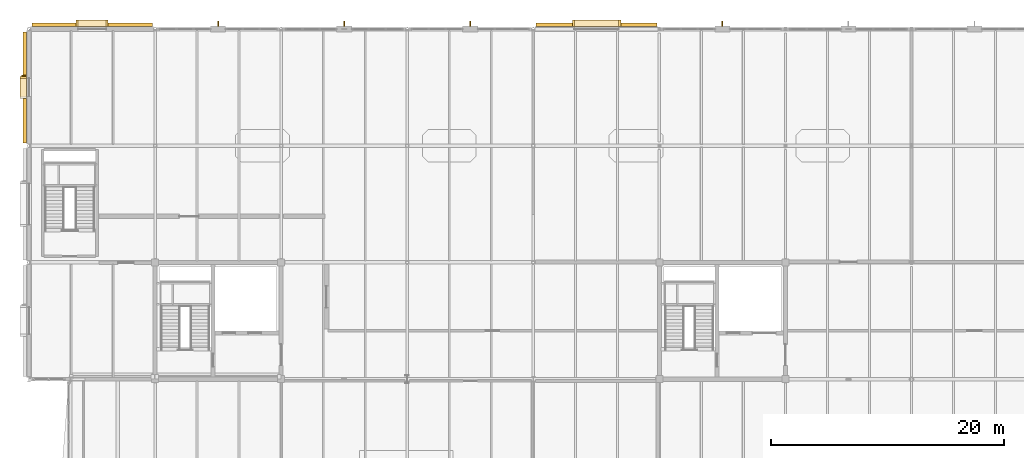
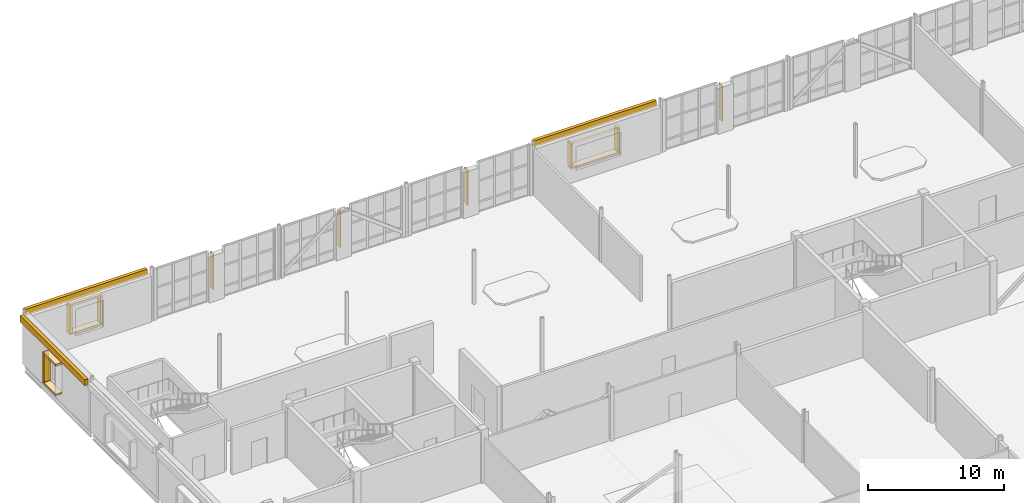
# One storey, part 98 of 100: 14 coverings, 5 shading devices.
"""IFC4 building model written with IfcOpenShell, lengths in metres."""

from ifc_helpers import new_model, si_unit, direction, frame, origin, origin_2d, place, context, subcontext, project, spatial, rectangle, extrude, material, layer, layer_set, type_object, element, save


model = new_model("IFC4")

# Units and contexts
model_context = context("Model", 3, precision=1e-05, world=origin(), true_north=direction((0.0, 1.0)))
body_context = subcontext(model_context, "Body", "Model", "MODEL_VIEW")
ifc_project = project(units=[si_unit("LENGTHUNIT", "METRE"), si_unit("AREAUNIT", "SQUARE_METRE"), si_unit("VOLUMEUNIT", "CUBIC_METRE"), si_unit("PLANEANGLEUNIT", "RADIAN"), si_unit("MASSUNIT", "GRAM", prefix="KILO")], contexts=[model_context])

# Site, building, storey
site_placement = place(None, origin())
site = spatial("IfcSite", under=ifc_project, at=site_placement, CompositionType="ELEMENT")
building_placement = place(site_placement, origin())
building = spatial("IfcBuilding", under=site, at=building_placement, Name="Tasgan Crest Museum", CompositionType="ELEMENT")
storey_placement = place(building_placement, frame((0.0, 0.0, 9.60009765625)))
storey = spatial("IfcBuildingStorey", under=building, at=storey_placement, Name="L02", CompositionType="ELEMENT", Elevation=9.60009765625)

# Coverings
ifc_material_1 = material(Name="Honed Rose-Red Mongolian Granite", Category="masonry")
ifc_layer_1 = layer(ifc_material_1, 0.0400390625, Name="COV-GRANITE-ROSE")
ifc_layer_set_1 = layer_set([ifc_layer_1], Name="Honed Rose-Red Mongolian Granite")
covering_type_1 = type_object("IfcCoveringType", Name="COV-GRANITE-ROSE", PredefinedType="CLADDING", material=ifc_layer_set_1)
for number, where, z_axis, x_axis, name in (
    (1, (50.608154296875, 112.5, 0.999755859375), (0.0, 0.0, 1.0), (-1.0, 0.0, 0.0), "Deep window reveal jamb L02-043"),
    (2, (46.628173828125, 112.5, 0.999755859375), (0.0, 0.0, 1.0), (-1.0, 0.0, 0.0), "Deep window reveal jamb L02-043"),
):
    element("IfcCovering", number, at=place(storey_placement, frame(where, z_axis=z_axis, x_axis=x_axis)), inside=storey, type_object=covering_type_1, Name=name, PredefinedType="CLADDING", context=body_context, shape_type="SweptSolid", body=[
        extrude(rectangle(XDim=0.179931640625, YDim=0.550048828125, at=origin_2d()), origin(), (0.0, 0.0, 1.0), 2.10009765625),
    ])
for number, where, z_axis, x_axis, name in (
    (3, (6.68994140625, 112.5, 1.0), (0.0, 0.0, 1.0), (-1.0, 0.0, 0.0), "Deep window reveal jamb L02-044"),
    (4, (4.110107421875, 112.5, 1.0), (0.0, 0.0, 1.0), (-1.0, 0.0, 0.0), "Deep window reveal jamb L02-044"),
):
    element("IfcCovering", number, at=place(storey_placement, frame(where, z_axis=z_axis, x_axis=x_axis)), inside=storey, type_object=covering_type_1, Name=name, PredefinedType="CLADDING", context=body_context, shape_type="SweptSolid", body=[
        extrude(rectangle(XDim=0.179931640625, YDim=0.550048828125, at=origin_2d()), origin(), (0.0, 0.0, 1.0), 2.39990234375),
    ])
covering_1_placement = place(storey_placement, frame((-0.5, 107.864990234375, 1.0), z_axis=(0.0, 0.0, 1.0), x_axis=(0.0, -1.0, 0.0)))
element("IfcCovering", 5, at=covering_1_placement, inside=storey, type_object=covering_type_1, Name="Deep window reveal jamb L02-045", PredefinedType="CLADDING", context=body_context, shape_type="SweptSolid", body=[
    extrude(rectangle(XDim=0.179931640625, YDim=0.550048828125, at=origin_2d()), origin(), (0.0, 0.0, 1.0), 2.5),
])
ifc_material_2 = material(Name="Honed Buff Limestone", Category="masonry")
ifc_layer_2 = layer(ifc_material_2, 0.044921875, Name="COV-LIMESTONE-BUFF")
ifc_layer_set_2 = layer_set([ifc_layer_2], Name="Honed Buff Limestone")
covering_type_2 = type_object("IfcCoveringType", Name="COV-LIMESTONE-BUFF", PredefinedType="CLADDING", material=ifc_layer_set_2)
covering_2_placement = place(storey_placement, frame((48.60009765625, 112.364990234375, 3.9599609375), z_axis=(0.0, 0.0, 1.0), x_axis=(-1.0, 0.0, 0.0)))
element("IfcCovering", 6, at=covering_2_placement, inside=storey, type_object=covering_type_2, Name="Stone frieze cladding L02", PredefinedType="CLADDING", context=body_context, shape_type="SweptSolid", body=[
    extrude(rectangle(XDim=10.37158203125, YDim=0.280029296875, at=origin_2d()), origin(), (0.0, 0.0, 1.0), 0.550048828125),
])
covering_3_placement = place(storey_placement, frame((48.6181640625, 112.5, 3.10009765625), z_axis=(0.0, 0.0, 1.0), x_axis=(-1.0, 0.0, 0.0)))
element("IfcCovering", 7, at=covering_3_placement, inside=storey, type_object=covering_type_2, Name="Deep window hood L02-043", PredefinedType="CLADDING", context=body_context, shape_type="SweptSolid", body=[
    extrude(rectangle(XDim=4.159912109375, YDim=0.550048828125, at=origin_2d()), origin(), (0.0, 0.0, 1.0), 0.179931640625),
])
covering_4_placement = place(storey_placement, frame((48.6181640625, 112.5, 0.85986328125), z_axis=(0.0, 0.0, 1.0), x_axis=(-1.0, 0.0, 0.0)))
element("IfcCovering", 8, at=covering_4_placement, inside=storey, type_object=covering_type_2, Name="Deep window sill L02-043", PredefinedType="CLADDING", context=body_context, shape_type="SweptSolid", body=[
    extrude(rectangle(XDim=4.159912109375, YDim=0.550048828125, at=origin_2d()), origin(), (0.0, 0.0, 1.0), 0.139892578125),
])
covering_5_placement = place(storey_placement, frame((5.39990234375, 112.364990234375, 3.9599609375), z_axis=(0.0, 0.0, 1.0), x_axis=(-1.0, 0.0, 0.0)))
element("IfcCovering", 9, at=covering_5_placement, inside=storey, type_object=covering_type_2, Name="Stone frieze cladding L02", PredefinedType="CLADDING", context=body_context, shape_type="SweptSolid", body=[
    extrude(rectangle(XDim=10.3349609375, YDim=0.280029296875, at=origin_2d()), origin(), (0.0, 0.0, 1.0), 0.550048828125),
])
covering_6_placement = place(storey_placement, frame((5.39990234375, 112.5, 3.39990234375), z_axis=(0.0, 0.0, 1.0), x_axis=(-1.0, 0.0, 0.0)))
element("IfcCovering", 10, at=covering_6_placement, inside=storey, type_object=covering_type_2, Name="Deep window hood L02-044", PredefinedType="CLADDING", context=body_context, shape_type="SweptSolid", body=[
    extrude(rectangle(XDim=2.760009765625, YDim=0.550048828125, at=origin_2d()), origin(), (0.0, 0.0, 1.0), 0.179931640625),
])
covering_7_placement = place(storey_placement, frame((5.39990234375, 112.5, 0.85986328125), z_axis=(0.0, 0.0, 1.0), x_axis=(-1.0, 0.0, 0.0)))
element("IfcCovering", 11, at=covering_7_placement, inside=storey, type_object=covering_type_2, Name="Deep window sill L02-044", PredefinedType="CLADDING", context=body_context, shape_type="SweptSolid", body=[
    extrude(rectangle(XDim=2.760009765625, YDim=0.550048828125, at=origin_2d()), origin(), (0.0, 0.0, 1.0), 0.139892578125),
])
covering_8_placement = place(storey_placement, frame((-0.364990234375, 107.0, 3.9599609375), z_axis=(0.0, 0.0, 1.0), x_axis=(0.0, -1.0, 0.0)))
element("IfcCovering", 12, at=covering_8_placement, inside=storey, type_object=covering_type_2, Name="Stone frieze cladding L02", PredefinedType="CLADDING", context=body_context, shape_type="SweptSolid", body=[
    extrude(rectangle(XDim=9.534912109375, YDim=0.280029296875, at=origin_2d()), origin(), (0.0, 0.0, 1.0), 0.550048828125),
])
covering_9_placement = place(storey_placement, frame((-0.5, 107.0, 3.5), z_axis=(0.0, 0.0, 1.0), x_axis=(0.0, -1.0, 0.0)))
element("IfcCovering", 13, at=covering_9_placement, inside=storey, type_object=covering_type_2, Name="Deep window hood L02-045", PredefinedType="CLADDING", context=body_context, shape_type="SweptSolid", body=[
    extrude(rectangle(XDim=1.909912109375, YDim=0.550048828125, at=origin_2d()), origin(), (0.0, 0.0, 1.0), 0.179931640625),
])
covering_10_placement = place(storey_placement, frame((-0.5, 107.0, 0.85986328125), z_axis=(0.0, 0.0, 1.0), x_axis=(0.0, -1.0, 0.0)))
element("IfcCovering", 14, at=covering_10_placement, inside=storey, type_object=covering_type_2, Name="Deep window sill L02-045", PredefinedType="CLADDING", context=body_context, shape_type="SweptSolid", body=[
    extrude(rectangle(XDim=1.909912109375, YDim=0.550048828125, at=origin_2d()), origin(), (0.0, 0.0, 1.0), 0.139892578125),
])

# Shading devices
ifc_material_3 = material(Name="Anodised Bronze Aluminium", Category="aluminium")
shading_device_type = type_object("IfcShadingDeviceType", Name="SH-FIN-V400", PredefinedType="JALOUSIE", material=ifc_material_3)
for number, where, z_axis, x_axis, name in (
    (15, (59.39990234375, 112.449951171875, 0.6796875), (0.0, 0.0, 1.0), (-1.0, 0.0, 0.0), "Facade pier solar fin L02"),
    (16, (37.800048828125, 112.449951171875, 0.6796875), (0.0, 0.0, 1.0), (-1.0, 0.0, 0.0), "Facade pier solar fin L02"),
    (17, (27.0, 112.449951171875, 0.6796875), (0.0, 0.0, 1.0), (-1.0, 0.0, 0.0), "Facade pier solar fin L02"),
    (18, (16.199951171875, 112.449951171875, 0.6796875), (0.0, 0.0, 1.0), (-1.0, 0.0, 0.0), "Facade pier solar fin L02"),
):
    element("IfcShadingDevice", number, at=place(storey_placement, frame(where, z_axis=z_axis, x_axis=x_axis)), inside=storey, type_object=shading_device_type, Name=name, PredefinedType="JALOUSIE", context=body_context, shape_type="SweptSolid", body=[
        extrude(rectangle(XDim=0.080078125, YDim=0.419921875, at=origin_2d()), origin(), (0.0, 0.0, 1.0), 3.199951171875),
    ])
shading_device_placement = place(storey_placement, frame((-0.43505859375, 107.9951171875, 0.89990234375), z_axis=(0.0, 0.0, 1.0), x_axis=(0.0, -1.0, 0.0)))
element("IfcShadingDevice", 19, at=shading_device_placement, inside=storey, type_object=shading_device_type, Name="Solar shading fin L02-045", PredefinedType="JALOUSIE", context=body_context, shape_type="SweptSolid", body=[
    extrude(rectangle(XDim=0.080078125, YDim=0.419921875, at=origin_2d()), origin(), (0.0, 0.0, 1.0), 2.699951171875),
])

save(model, "model.ifc")
